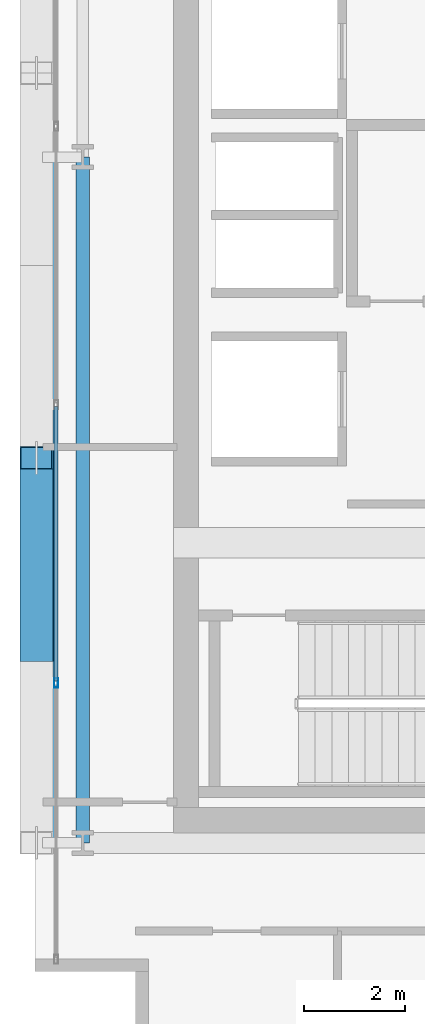
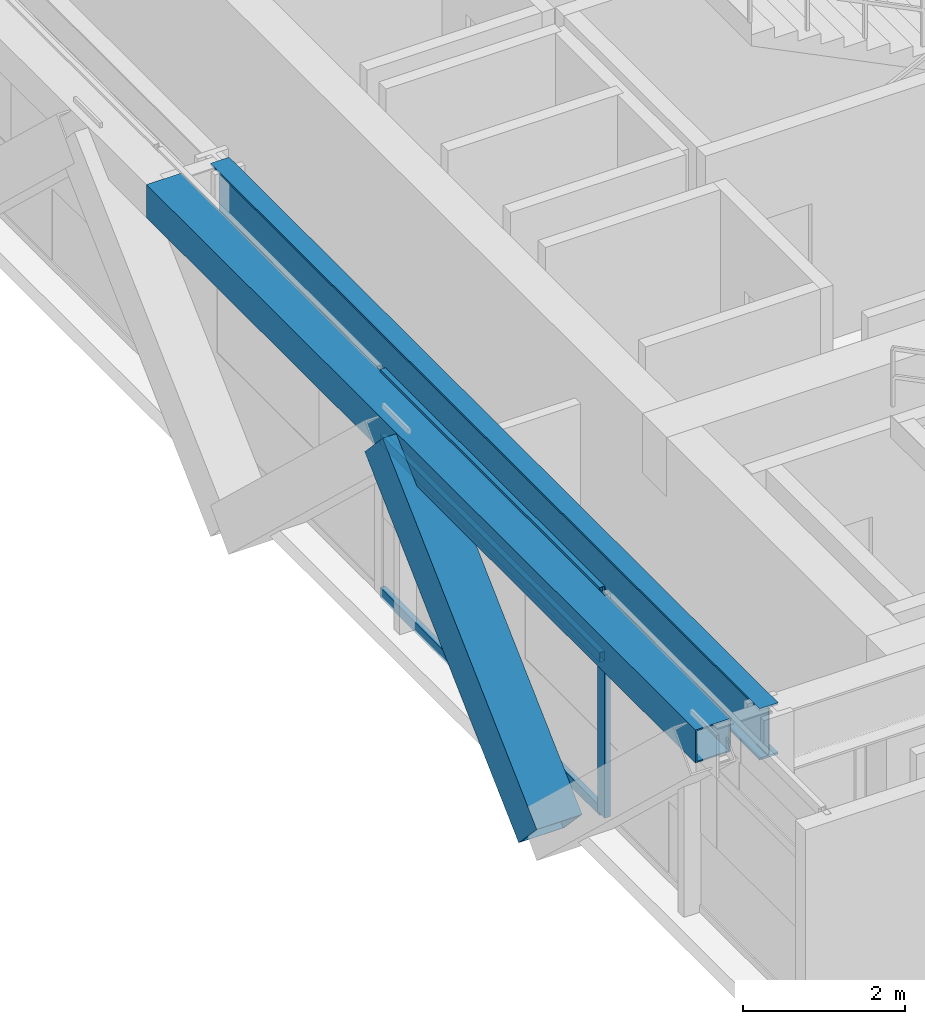
# One storey, part 4 of 32: 5 members, 2 beams, 1 element without a shape of its own.
"""IFC4 building model written with IfcOpenShell, lengths in metres."""

import ifcopenshell
import ifcopenshell.guid

model = None  # the IFC model being written
_history = None  # IfcOwnerHistory: only IFC2X3 demands one
_inside = {}  # id of a spatial element -> (the spatial element, [elements in it])
_under = {}  # id of a project, library or spatial element -> (it, [spatial elements below it])
_declared = {}  # id of a project -> (the project, [libraries it declares])
_typed = {}  # id of a type object -> (the type object, [elements of that type])
_made_of = {}  # id of a material, layer set ... -> (it, [elements and type objects made of it])


def new_model(schema):
    """Start an empty IFC model of exactly this schema.

    Asked for "IFC4X3", IfcOpenShell would pick the latest addendum, in which some entities
    have other attributes; the version numbers below select the first issue.
    IFC2X3 requires an IfcOwnerHistory on every rooted entity: one is made here for all.
    """
    global model, _history
    if schema == "IFC4X3":
        model = ifcopenshell.file(schema_version=(4, 3, 0, 0))
    else:
        model = ifcopenshell.file(schema=schema)
    _inside.clear()
    _under.clear()
    _declared.clear()
    _typed.clear()
    _made_of.clear()
    _history = None
    if model.schema == "IFC2X3":
        org = make("IfcOrganization", Name="unknown")
        user = make(
            "IfcPersonAndOrganization",
            ThePerson=make("IfcPerson", FamilyName="unknown"),
            TheOrganization=org,
        )
        app = make(
            "IfcApplication",
            ApplicationDeveloper=org,
            Version="unknown",
            ApplicationFullName="unknown",
            ApplicationIdentifier="unknown",
        )
        _history = make(
            "IfcOwnerHistory",
            OwningUser=user,
            OwningApplication=app,
            ChangeAction="ADDED",
            CreationDate=0,
        )
    return model


def make(cls, **values):
    """One entity of the class cls with the attributes given. An attribute that is None is left unset."""
    return model.create_entity(
        cls, **{name: value for name, value in values.items() if value is not None}
    )


def rooted(cls, **values):
    """An entity with a GlobalId (a new one), such as an element, a storey or a relation."""
    return make(cls, GlobalId=ifcopenshell.guid.new(), OwnerHistory=_history, **values)


def si_unit(unit_type, name, prefix=None):
    """IfcSIUnit, for example si_unit("LENGTHUNIT", "METRE", prefix="MILLI")."""
    return make("IfcSIUnit", UnitType=unit_type, Prefix=prefix, Name=name)


def assignment(units):
    """IfcUnitAssignment: the units of a project."""
    return None if units is None else make("IfcUnitAssignment", Units=units)


def point(xyz):
    """IfcCartesianPoint."""
    return None if xyz is None else make("IfcCartesianPoint", Coordinates=xyz)


def direction(xyz):
    """IfcDirection."""
    return None if xyz is None else make("IfcDirection", DirectionRatios=xyz)


def frame(location, z_axis=None, x_axis=None):
    """IfcAxis2Placement3D, a coordinate frame: its origin and axes. An axis left out is left unset."""
    return make(
        "IfcAxis2Placement3D",
        Location=point(location),
        Axis=direction(z_axis),
        RefDirection=direction(x_axis),
    )


def frame_2d(location, x_axis=None):
    """IfcAxis2Placement2D, a coordinate frame in the plane: its origin and x axis."""
    return make(
        "IfcAxis2Placement2D", Location=point(location), RefDirection=direction(x_axis)
    )


def origin():
    """The frame at (0, 0, 0) with its axes left unset."""
    return frame((0.0, 0.0, 0.0))


def origin_2d():
    """The frame at (0, 0) in the plane with its x axis left unset."""
    return frame_2d((0.0, 0.0))


def place(relative_to, where):
    """IfcLocalPlacement: puts the frame where relative to a parent placement (None: the world)."""
    return make(
        "IfcLocalPlacement", PlacementRelTo=relative_to, RelativePlacement=where
    )


def context(
    kind, dimensions, precision=None, world=None, true_north=None, identifier=None
):
    """IfcGeometricRepresentationContext, for example the 3D "Model" context."""
    return make(
        "IfcGeometricRepresentationContext",
        ContextIdentifier=identifier,
        ContextType=kind,
        CoordinateSpaceDimension=dimensions,
        Precision=precision,
        WorldCoordinateSystem=world,
        TrueNorth=true_north,
    )


def subcontext(parent, identifier, kind, view, scale=None):
    """IfcGeometricRepresentationSubContext, for example "Body" below "Model"."""
    return make(
        "IfcGeometricRepresentationSubContext",
        ContextIdentifier=identifier,
        ContextType=kind,
        ParentContext=parent,
        TargetScale=scale,
        TargetView=view,
    )


def project(units=None, contexts=None):
    """IfcProject with its units and contexts."""
    return rooted(
        "IfcProject",
        Name="project",
        RepresentationContexts=contexts,
        UnitsInContext=assignment(units),
    )


def spatial(cls, under=None, at=None, **own):
    """A site, building, storey or space (cls), placed at a placement, below another one or the project."""
    s = rooted(cls, ObjectPlacement=at, **own)
    if under is not None:
        _under.setdefault(under.id(), (under, []))[1].append(s)
    return s


def profile(cls, at=None, kind="AREA", **sizes):
    """A parametric profile (cls). Its sizes go by their IFC names, for example OverallWidth=200.0."""
    return make(cls, ProfileType=kind, Position=at, **sizes)


def hollow_rectangle(**sizes):
    """IfcRectangleHollowProfileDef."""
    return profile("IfcRectangleHollowProfileDef", **sizes)


def i_section(**sizes):
    """IfcIShapeProfileDef."""
    return profile("IfcIShapeProfileDef", **sizes)


def extrude(swept, where, along, depth):
    """IfcExtrudedAreaSolid: the profile swept, set in the frame where, extruded along a direction by depth."""
    return make(
        "IfcExtrudedAreaSolid",
        SweptArea=swept,
        Position=where,
        ExtrudedDirection=direction(along),
        Depth=depth,
    )


def shape(context_of_items, identifier, shape_type, items):
    """IfcShapeRepresentation: the items that make up one representation, for example the "Body"."""
    return make(
        "IfcShapeRepresentation",
        ContextOfItems=context_of_items,
        RepresentationIdentifier=identifier,
        RepresentationType=shape_type,
        Items=items,
    )


def source(mapping_origin, context_of_items, identifier, shape_type, items):
    """IfcRepresentationMap: a shape defined once, which mapped items show again and again."""
    return make(
        "IfcRepresentationMap",
        MappingOrigin=mapping_origin,
        MappedRepresentation=shape(context_of_items, identifier, shape_type, items),
    )


def transform(
    local_origin,
    x_axis=None,
    y_axis=None,
    z_axis=None,
    scale=None,
    scale2=None,
    scale3=None,
    uniform=True,
):
    """IfcCartesianTransformationOperator3D, or its non-uniform kind. x_axis, y_axis, z_axis: its Axis1, 2, 3."""
    if uniform:
        return make(
            "IfcCartesianTransformationOperator3D",
            Axis1=direction(x_axis),
            Axis2=direction(y_axis),
            LocalOrigin=point(local_origin),
            Scale=scale,
            Axis3=direction(z_axis),
        )
    return make(
        "IfcCartesianTransformationOperator3DnonUniform",
        Axis1=direction(x_axis),
        Axis2=direction(y_axis),
        LocalOrigin=point(local_origin),
        Scale=scale,
        Axis3=direction(z_axis),
        Scale2=scale2,
        Scale3=scale3,
    )


def mapped(mapping_source, mapping_target):
    """IfcMappedItem: shows the shape of a source again, moved by a transform."""
    return make(
        "IfcMappedItem", MappingSource=mapping_source, MappingTarget=mapping_target
    )


def material(Name=None, Category=None):
    """IfcMaterial."""
    return make("IfcMaterial", Name=Name, Category=Category)


def layer(
    of_material, thickness, ventilated=None, Name=None, Category=None, Priority=None
):
    """IfcMaterialLayer: one layer of a wall or slab, of a material (None: an air gap)."""
    return make(
        "IfcMaterialLayer",
        Material=of_material,
        LayerThickness=thickness,
        IsVentilated=ventilated,
        Name=Name,
        Category=Category,
        Priority=Priority,
    )


def layer_set(layers, Name=None):
    """IfcMaterialLayerSet."""
    return make("IfcMaterialLayerSet", MaterialLayers=layers, LayerSetName=Name)


def material_profile(
    of_material, cross_section, Name=None, Category=None, Priority=None
):
    """IfcMaterialProfile: a cross section and its material."""
    return make(
        "IfcMaterialProfile",
        Name=Name,
        Material=of_material,
        Profile=cross_section,
        Priority=Priority,
        Category=Category,
    )


def profile_set(profiles, Name=None, composite=None):
    """IfcMaterialProfileSet."""
    return make(
        "IfcMaterialProfileSet",
        Name=Name,
        MaterialProfiles=profiles,
        CompositeProfile=composite,
    )


def made_of(thing, what):
    """Note that an element or type object is made of a material, layer set ...; save() writes the relation."""
    if what is not None:
        _made_of.setdefault(what.id(), (what, []))[1].append(thing)
    return thing


def type_object(cls, material=None, **own):
    """A type object (cls), such as IfcWallType, which elements share."""
    return made_of(rooted(cls, **own), material)


def element(
    cls,
    number,
    at=None,
    inside=None,
    cuts=None,
    type_object=None,
    material=None,
    context=None,
    identifier="Body",
    shape_type=None,
    held_by="IfcProductDefinitionShape",
    body=None,
    shapes=None,
    **own,
):
    """One element of the class cls, such as IfcWall. Its Tag is "e" and its number.

    at: its placement. inside: the storey or other place that contains it. cuts: it is an
    opening in that element (IfcRelVoidsElement). A single representation is given by context,
    identifier, shape_type and body (its items); several are given by shapes. held_by: the class
    of the entity that holds the representations. save() writes the other relations.
    """
    e = rooted(cls, Tag="e%d" % number, ObjectPlacement=at, **own)
    if body is not None:
        shapes = [shape(context, identifier, shape_type, body)]
    if shapes is not None:
        e.Representation = make(held_by, Representations=shapes)
    if inside is not None:
        _inside.setdefault(inside.id(), (inside, []))[1].append(e)
    if cuts is not None:
        rooted(
            "IfcRelVoidsElement", RelatingBuildingElement=cuts, RelatedOpeningElement=e
        )
    if type_object is not None:
        _typed.setdefault(type_object.id(), (type_object, []))[1].append(e)
    return made_of(e, material)


def aggregate(whole, parts):
    """IfcRelAggregates: a whole, such as a stair, and the parts it consists of."""
    return rooted("IfcRelAggregates", RelatingObject=whole, RelatedObjects=parts)


def save(model, path):
    """Write the relations noted so far, then the file.

    IfcRelAggregates (storeys below a building ...), IfcRelContainedInSpatialStructure (elements
    in a storey), IfcRelDefinesByType, IfcRelAssociatesMaterial and IfcRelDeclares: one each for
    every whole, place, type object, material and project.
    """
    for whole, parts in _under.values():
        aggregate(whole, parts)
    for where, things in _inside.values():
        rooted(
            "IfcRelContainedInSpatialStructure",
            RelatedElements=things,
            RelatingStructure=where,
        )
    for kind, things in _typed.values():
        rooted("IfcRelDefinesByType", RelatedObjects=things, RelatingType=kind)
    for what, things in _made_of.values():
        rooted("IfcRelAssociatesMaterial", RelatedObjects=things, RelatingMaterial=what)
    for by, libraries in _declared.values():
        rooted("IfcRelDeclares", RelatingContext=by, RelatedDefinitions=libraries)
    model.write(path)


model = new_model("IFC4")

# Units and contexts
model_context = context("Model", 3, precision=1e-05, world=origin(), true_north=direction((0.0, 1.0)))
body_context = subcontext(model_context, "Body", "Model", "MODEL_VIEW")
ifc_project = project(units=[si_unit("LENGTHUNIT", "METRE"), si_unit("AREAUNIT", "SQUARE_METRE"), si_unit("VOLUMEUNIT", "CUBIC_METRE"), si_unit("PLANEANGLEUNIT", "RADIAN"), si_unit("MASSUNIT", "GRAM", prefix="KILO")], contexts=[model_context])

# Site, building, storey
site_placement = place(None, origin())
site = spatial("IfcSite", under=ifc_project, at=site_placement, CompositionType="ELEMENT")
building_placement = place(site_placement, origin())
building = spatial("IfcBuilding", under=site, at=building_placement, Name="Ocotamira Hotel", CompositionType="ELEMENT")
storey_placement = place(building_placement, frame((0.0, 0.0, 177.60009765625)))
storey = spatial("IfcBuildingStorey", under=building, at=storey_placement, Name="L44", CompositionType="ELEMENT", Elevation=177.60009765625)

# Beams
ifc_material_1 = material(Name="Steel ASTM A992 Grade 50", Category="steel")
ifc_material_profile_1 = material_profile(ifc_material_1, i_section(OverallWidth=0.26611328125, OverallDepth=0.779052734375, WebThickness=0.0166015625, FlangeThickness=0.030029296875, FilletRadius=0.01806640625, at=origin_2d()), Name="W30X148")
ifc_profile_set_1 = profile_set([ifc_material_profile_1], Name="Steel ASTM A992 Grade 50")
beam_type_1 = type_object("IfcBeamType", Name="BM-GIRD-W30X148", PredefinedType="BEAM", material=ifc_profile_set_1)
shared_shape_1 = source(origin(), body_context, "Body", "SweptSolid", [
    extrude(i_section(OverallWidth=0.26611328125, OverallDepth=0.779052734375, WebThickness=0.0166015625, FlangeThickness=0.030029296875, FilletRadius=0.01806640625, at=origin_2d()), origin(), (0.0, 0.0, 1.0), 13.599853515625),
])
beam_1_placement = place(storey_placement, frame((8.949951171875, 14.550048828125, 2.98046875), z_axis=(0.0, 1.0, 0.0), x_axis=(-1.0, 0.0, 0.0)))
element("IfcBeam", 1, at=beam_1_placement, inside=storey, type_object=beam_type_1, Name="L44 Beam X8.95 Y14.55-28.15", PredefinedType="BEAM", context=body_context, shape_type="MappedRepresentation", body=[
    mapped(shared_shape_1, transform((0.0, 0.0, 0.0), scale=1.0)),
])
ifc_material_2 = material(Name="Steel ASTM A500 Grade C", Category="steel")
ifc_material_profile_2 = material_profile(ifc_material_2, hollow_rectangle(XDim=0.5, YDim=0.5, WallThickness=0.02001953125, at=origin_2d()), Name="HSS500X500X20")
ifc_profile_set_2 = profile_set([ifc_material_profile_2], Name="Steel ASTM A500 Grade C")
beam_type_2 = type_object("IfcBeamType", Name="BM-SPAN-HSS500", PredefinedType="USERDEFINED", material=ifc_profile_set_2)
shared_shape_2 = source(origin(), body_context, "Body", "SweptSolid", [
    extrude(hollow_rectangle(XDim=0.5, YDim=0.5, WallThickness=0.02001953125, at=origin_2d()), origin(), (0.0, 0.0, 1.0), 13.599853515625),
])
beam_2_placement = place(storey_placement, frame((8.14990234375, 14.550048828125, 3.119873046875), z_axis=(0.0, 1.0, 0.0), x_axis=(-1.0, 0.0, 0.0)))
element("IfcBeam", 2, at=beam_2_placement, inside=storey, type_object=beam_type_2, Name="L44 Edge Spandrel W Y14.55-28.15", ObjectType="SPANDREL", PredefinedType="USERDEFINED", context=body_context, shape_type="MappedRepresentation", body=[
    mapped(shared_shape_2, transform((0.0, 0.0, 0.0), scale=1.0)),
])

# Member
ifc_material_3 = material(Name="Pale-metal coated steel ASTM A913 Grade 65", Category="steel")
ifc_material_profile_3 = material_profile(ifc_material_3, hollow_rectangle(XDim=0.64990234375, YDim=0.64990234375, WallThickness=0.02197265625, at=origin_2d()), Name="BOX650X650X22")
ifc_profile_set_3 = profile_set([ifc_material_profile_3], Name="Pale-metal coated steel ASTM A913 Grade 65")
member_type_1 = type_object("IfcMemberType", Name="MEM-EXO-BOX650", PredefinedType="BRACE", material=ifc_profile_set_3)
shared_shape_3 = source(origin(), body_context, "Body", "SweptSolid", [
    extrude(hollow_rectangle(XDim=0.64990234375, YDim=0.64990234375, WallThickness=0.02197265625, at=origin_2d()), origin(), (0.0, 0.0, 1.0), 5.24658203125),
])
member_1_placement = place(storey_placement, frame((8.030029296875, 18.36669921875, -0.47998046875), z_axis=(0.0, 0.72746596067, 0.686143772154), x_axis=(-1.0, 0.0, 0.0)))
element("IfcMember", 3, at=member_1_placement, inside=storey, type_object=member_type_1, Name="L44 Exoskeleton Diagrid W0.2", PredefinedType="BRACE", context=body_context, shape_type="MappedRepresentation", body=[
    mapped(shared_shape_3, transform((0.0, 0.0, 0.0), scale=1.0)),
])

# Curtain wall, members
ifc_material_4 = material(Name="Anodised pale-metal aluminium and solar glass", Category="aluminium")
ifc_layer = layer(ifc_material_4, 0.199951171875)
ifc_layer_set = layer_set([ifc_layer], Name="Anodised pale-metal aluminium and solar glass")
curtain_wall_type = type_object("IfcCurtainWallType", Name="CW-SYS4-Z3", PredefinedType="NOTDEFINED", material=ifc_layer_set)
curtain_wall_placement = place(storey_placement, origin())
curtain_wall = element("IfcCurtainWall", 4, at=curtain_wall_placement, inside=storey, type_object=curtain_wall_type, Name="L44 Curtain Wall CW-4 CW-L44-W", PredefinedType="NOTDEFINED")
ifc_material_5 = material(Name="Anodised pale-metal aluminium 6063-T6", Category="aluminium")
ifc_material_profile_4 = material_profile(ifc_material_5, hollow_rectangle(XDim=0.074951171875, YDim=0.14990234375, WallThickness=0.006103515625, at=origin_2d()), Name="HSS150X75X6")
ifc_profile_set_4 = profile_set([ifc_material_profile_4], Name="Anodised pale-metal aluminium 6063-T6")
member_type_2 = type_object("IfcMemberType", Name="CWT-150X75", PredefinedType="USERDEFINED", material=ifc_profile_set_4)
shared_shape_4 = source(origin(), body_context, "Body", "SweptSolid", [
    extrude(hollow_rectangle(XDim=0.074951171875, YDim=0.14990234375, WallThickness=0.006103515625, at=origin_2d()), origin(), (0.0, 0.0, 1.0), 5.43994140625),
])
member_2_placement = place(storey_placement, frame((8.419921875, 17.760009765625, 0.037353515625), z_axis=(0.0, 1.0, 0.0), x_axis=(-1.0, 0.0, 0.0)))
member_2 = element("IfcMember", 5, at=member_2_placement, type_object=member_type_2, Name="CW-4 transom 2.1", ObjectType="TRANSOM", PredefinedType="USERDEFINED", context=body_context, shape_type="MappedRepresentation", body=[
    mapped(shared_shape_4, transform((0.0, 0.0, 0.0), scale=1.0)),
])
member_3_placement = place(storey_placement, frame((8.419921875, 17.760009765625, 2.349853515625), z_axis=(0.0, 1.0, 0.0), x_axis=(-1.0, 0.0, 0.0)))
member_3 = element("IfcMember", 6, at=member_3_placement, type_object=member_type_2, Name="CW-4 transom 2.2", ObjectType="TRANSOM", PredefinedType="USERDEFINED", context=body_context, shape_type="MappedRepresentation", body=[
    mapped(shared_shape_4, transform((0.0, 0.0, 0.0), scale=1.0)),
])
member_4_placement = place(storey_placement, frame((8.419921875, 17.760009765625, 3.33251953125), z_axis=(0.0, 1.0, 0.0), x_axis=(-1.0, 0.0, 0.0)))
member_4 = element("IfcMember", 7, at=member_4_placement, type_object=member_type_2, Name="CW-4 transom 2.3", ObjectType="TRANSOM", PredefinedType="USERDEFINED", context=body_context, shape_type="MappedRepresentation", body=[
    mapped(shared_shape_4, transform((0.0, 0.0, 0.0), scale=1.0)),
])
ifc_material_profile_5 = material_profile(ifc_material_5, hollow_rectangle(XDim=0.080078125, YDim=0.179931640625, WallThickness=0.006103515625, at=origin_2d()), Name="HSS180X80X6")
ifc_profile_set_5 = profile_set([ifc_material_profile_5], Name="Anodised pale-metal aluminium 6063-T6")
member_type_3 = type_object("IfcMemberType", Name="CWM-180X75", PredefinedType="MULLION", material=ifc_profile_set_5)
shared_shape_5 = source(origin(), body_context, "Body", "SweptSolid", [
    extrude(hollow_rectangle(XDim=0.080078125, YDim=0.179931640625, WallThickness=0.006103515625, at=origin_2d()), origin(), (0.0, 0.0, 1.0), 3.369873046875),
])
member_5_placement = place(storey_placement, frame((8.419921875, 17.719970703125, 0.0), z_axis=(0.0, 0.0, 1.0), x_axis=(-1.0, 0.0, 0.0)))
member_5 = element("IfcMember", 8, at=member_5_placement, type_object=member_type_3, Name="CW-4 mullion 2", PredefinedType="MULLION", context=body_context, shape_type="MappedRepresentation", body=[
    mapped(shared_shape_5, transform((0.0, 0.0, 0.0), scale=1.0)),
])
aggregate(curtain_wall, [member_5, member_2, member_3, member_4])

save(model, "model.ifc")
